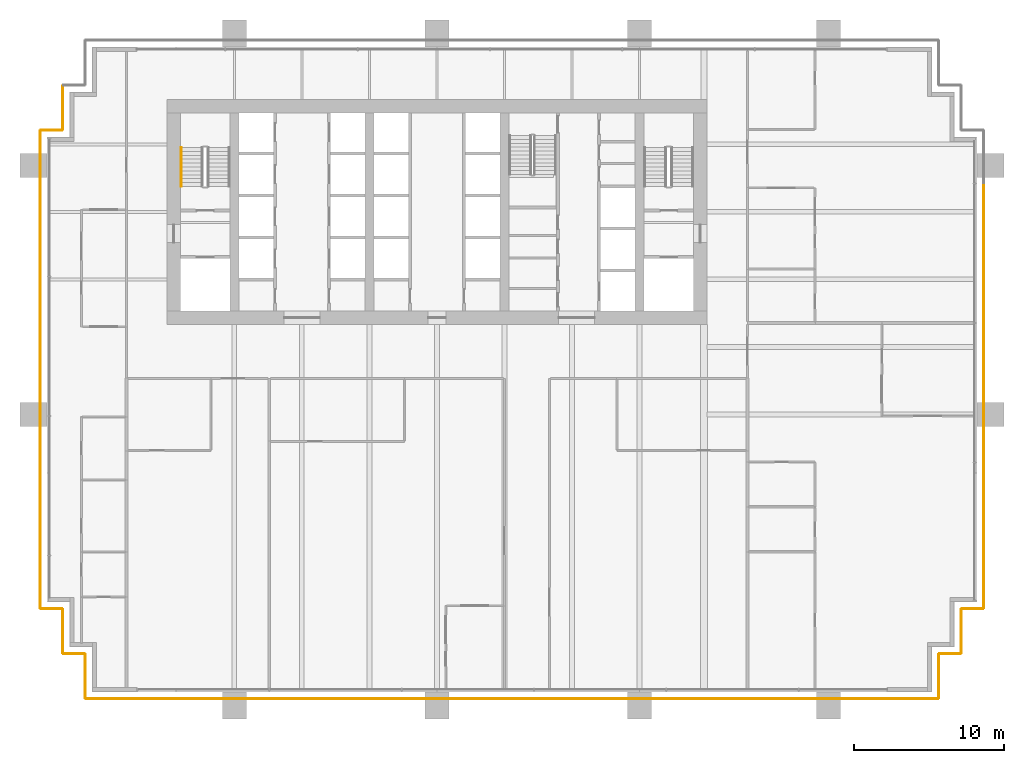
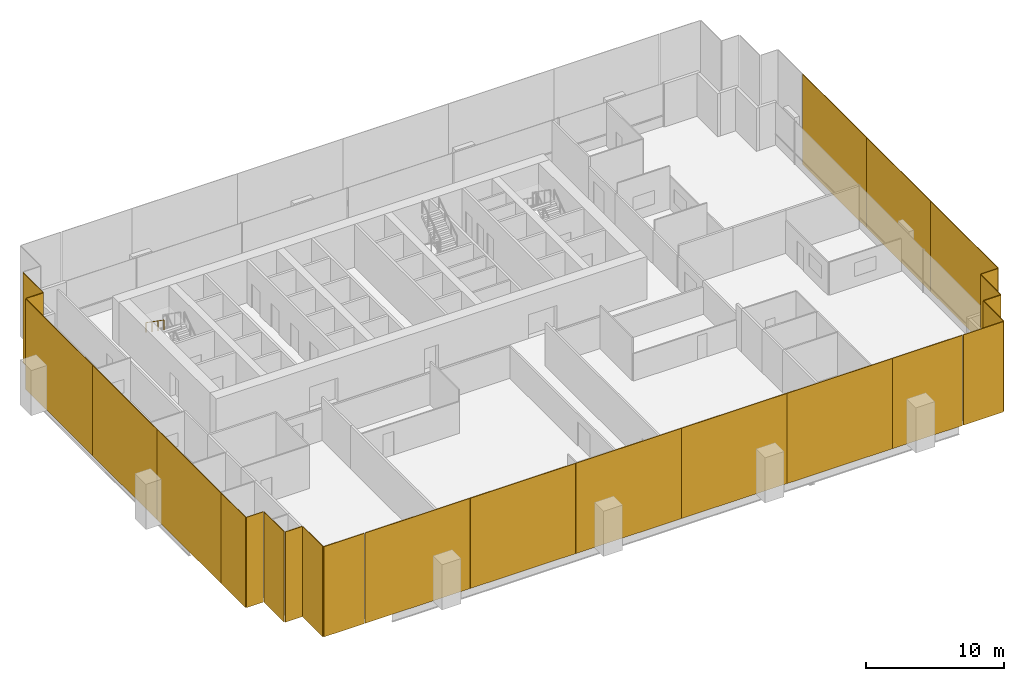
# One storey, part 17 of 19: 25 coverings, 1 railing.
"""IFC4 building model written with IfcOpenShell, lengths in metres."""

from ifc_helpers import new_model, si_unit, direction, frame, origin, origin_2d, place, context, subcontext, project, spatial, rectangle, extrude, material, layer, layer_set, type_object, element, save


model = new_model("IFC4")

# Units and contexts
model_context = context("Model", 3, precision=1e-05, world=origin(), true_north=direction((0.0, 1.0)))
body_context = subcontext(model_context, "Body", "Model", "MODEL_VIEW")
ifc_project = project(units=[si_unit("LENGTHUNIT", "METRE"), si_unit("AREAUNIT", "SQUARE_METRE"), si_unit("VOLUMEUNIT", "CUBIC_METRE"), si_unit("PLANEANGLEUNIT", "RADIAN"), si_unit("MASSUNIT", "GRAM", prefix="KILO")], contexts=[model_context])

# Site, building, storey
site_placement = place(None, origin())
site = spatial("IfcSite", under=ifc_project, at=site_placement, CompositionType="ELEMENT")
building_placement = place(site_placement, origin())
building = spatial("IfcBuilding", under=site, at=building_placement, Name="Rattan Terrace Tower", CompositionType="ELEMENT")
storey_placement = place(building_placement, frame((0.0, 0.0, 91.699951171875)))
storey = spatial("IfcBuildingStorey", under=building, at=storey_placement, Name="L20", CompositionType="ELEMENT", Elevation=91.699951171875)

# Railing
ifc_material_1 = material(Name="Powder-coated steel handrail", Category="steel")
railing_type = type_object("IfcRailingType", Name="Core stair handrail", PredefinedType="HANDRAIL", material=ifc_material_1)
railing_placement = place(storey_placement, frame((-17.050048828125, 4.300048828125, 2.181884765625)))
element("IfcRailing", 1, at=railing_placement, inside=storey, type_object=railing_type, Name="L20 S1 stair handrail 2", PredefinedType="HANDRAIL", context=body_context, shape_type="SweptSolid", body=[
    extrude(rectangle(XDim=0.048095703125, YDim=0.048095703125, at=origin_2d()), frame((0.0, 0.0, 0.8759765625), z_axis=(0.0, -0.819521025635, 0.573049115296), x_axis=(1.0, 0.0, 0.0)), (0.0, 0.0, 1.0), 3.172607421875),
    extrude(rectangle(XDim=0.0419921875, YDim=0.0419921875, at=origin_2d()), origin(), (0.0, 0.0, 1.0), 0.851806640625),
    extrude(rectangle(XDim=0.0419921875, YDim=0.0419921875, at=origin_2d()), frame((0.0, -0.86669921875, 0.60595703125)), (0.0, 0.0, 1.0), 0.851806640625),
    extrude(rectangle(XDim=0.0419921875, YDim=0.0419921875, at=origin_2d()), frame((0.0, -1.7333984375, 1.212158203125)), (0.0, 0.0, 1.0), 0.851806640625),
    extrude(rectangle(XDim=0.0419921875, YDim=0.0419921875, at=origin_2d()), frame((0.0, -2.60009765625, 1.818115234375)), (0.0, 0.0, 1.0), 0.851806640625),
])

# Coverings
ifc_material_2 = material(Name="Perforated terracotta", Category="masonry")
ifc_layer = layer(ifc_material_2, 0.06005859375)
ifc_layer_set = layer_set([ifc_layer], Name="Facade Terracotta Screen Panel")
covering_type = type_object("IfcCoveringType", Name="Facade Terracotta Screen Panel", PredefinedType="CLADDING", material=ifc_layer_set)
covering_1_placement = place(storey_placement, frame((31.72509765625, -32.449951171875, -0.18994140625), z_axis=(0.0, 0.0, 1.0), x_axis=(1.0, 0.0, 0.0)))
element("IfcCovering", 2, at=covering_1_placement, inside=storey, type_object=covering_type, Name="OUTER SKIN panel L20-1", PredefinedType="CLADDING", context=body_context, shape_type="SweptSolid", body=[
    extrude(rectangle(XDim=3.3701171875, YDim=0.06005859375, at=origin_2d()), origin(), (0.0, 0.0, 1.0), 7.97998046875),
])
covering_2_placement = place(storey_placement, frame((33.449951171875, -30.949951171875, -0.18994140625), z_axis=(0.0, 0.0, 1.0), x_axis=(0.0, 1.0, 0.0)))
element("IfcCovering", 3, at=covering_2_placement, inside=storey, type_object=covering_type, Name="OUTER SKIN panel L20-2", PredefinedType="CLADDING", context=body_context, shape_type="SweptSolid", body=[
    extrude(rectangle(XDim=2.919921875, YDim=0.06005859375, at=origin_2d()), origin(), (0.0, 0.0, 1.0), 7.97998046875),
])
covering_3_placement = place(storey_placement, frame((34.199951171875, -29.449951171875, -0.18994140625), z_axis=(0.0, 0.0, 1.0), x_axis=(1.0, 0.0, 0.0)))
element("IfcCovering", 4, at=covering_3_placement, inside=storey, type_object=covering_type, Name="OUTER SKIN panel L20-3", PredefinedType="CLADDING", context=body_context, shape_type="SweptSolid", body=[
    extrude(rectangle(XDim=1.419921875, YDim=0.06005859375, at=origin_2d()), origin(), (0.0, 0.0, 1.0), 7.97998046875),
])
covering_4_placement = place(storey_placement, frame((34.949951171875, -27.949951171875, -0.18994140625), z_axis=(0.0, 0.0, 1.0), x_axis=(0.0, 1.0, 0.0)))
element("IfcCovering", 5, at=covering_4_placement, inside=storey, type_object=covering_type, Name="OUTER SKIN panel L20-4", PredefinedType="CLADDING", context=body_context, shape_type="SweptSolid", body=[
    extrude(rectangle(XDim=2.919921875, YDim=0.06005859375, at=origin_2d()), origin(), (0.0, 0.0, 1.0), 7.97998046875),
])
covering_5_placement = place(storey_placement, frame((35.699951171875, -26.449951171875, -0.18994140625), z_axis=(0.0, 0.0, 1.0), x_axis=(1.0, 0.0, 0.0)))
element("IfcCovering", 6, at=covering_5_placement, inside=storey, type_object=covering_type, Name="OUTER SKIN panel L20-5", PredefinedType="CLADDING", context=body_context, shape_type="SweptSolid", body=[
    extrude(rectangle(XDim=1.419921875, YDim=0.06005859375, at=origin_2d()), origin(), (0.0, 0.0, 1.0), 7.97998046875),
])
covering_6_placement = place(storey_placement, frame((36.449951171875, -21.56005859375, -0.18994140625), z_axis=(0.0, 0.0, 1.0), x_axis=(0.0, 1.0, 0.0)))
element("IfcCovering", 7, at=covering_6_placement, inside=storey, type_object=covering_type, Name="OUTER SKIN panel L20-6", PredefinedType="CLADDING", context=body_context, shape_type="SweptSolid", body=[
    extrude(rectangle(XDim=9.699951171875, YDim=0.06005859375, at=origin_2d()), origin(), (0.0, 0.0, 1.0), 7.97998046875),
])
for number, where, z_axis, x_axis, name in (
    (8, (36.449951171875, -12.050048828125, -0.18994140625), (0.0, 0.0, 1.0), (0.0, 1.0, 0.0), "OUTER SKIN panel L20-7"),
    (9, (36.449951171875, -2.75, -0.18994140625), (0.0, 0.0, 1.0), (0.0, 1.0, 0.0), "OUTER SKIN panel L20-8"),
):
    element("IfcCovering", number, at=place(storey_placement, frame(where, z_axis=z_axis, x_axis=x_axis)), inside=storey, type_object=covering_type, Name=name, PredefinedType="CLADDING", context=body_context, shape_type="SweptSolid", body=[
        extrude(rectangle(XDim=9.280029296875, YDim=0.06005859375, at=origin_2d()), origin(), (0.0, 0.0, 1.0), 7.97998046875),
    ])
covering_7_placement = place(storey_placement, frame((-24.949951171875, 6.949951171875, -0.18994140625), z_axis=(0.0, 0.0, 1.0), x_axis=(0.0, -1.0, 0.0)))
element("IfcCovering", 10, at=covering_7_placement, inside=storey, type_object=covering_type, Name="OUTER SKIN panel L20-24", PredefinedType="CLADDING", context=body_context, shape_type="SweptSolid", body=[
    extrude(rectangle(XDim=2.919921875, YDim=0.06005859375, at=origin_2d()), origin(), (0.0, 0.0, 1.0), 7.97998046875),
])
covering_8_placement = place(storey_placement, frame((-25.699951171875, 5.449951171875, -0.18994140625), z_axis=(0.0, 0.0, 1.0), x_axis=(-1.0, 0.0, 0.0)))
element("IfcCovering", 11, at=covering_8_placement, inside=storey, type_object=covering_type, Name="OUTER SKIN panel L20-25", PredefinedType="CLADDING", context=body_context, shape_type="SweptSolid", body=[
    extrude(rectangle(XDim=1.419921875, YDim=0.06005859375, at=origin_2d()), origin(), (0.0, 0.0, 1.0), 7.97998046875),
])
covering_9_placement = place(storey_placement, frame((-26.449951171875, 0.56005859375, -0.18994140625), z_axis=(0.0, 0.0, 1.0), x_axis=(0.0, -1.0, 0.0)))
element("IfcCovering", 12, at=covering_9_placement, inside=storey, type_object=covering_type, Name="OUTER SKIN panel L20-26", PredefinedType="CLADDING", context=body_context, shape_type="SweptSolid", body=[
    extrude(rectangle(XDim=9.699951171875, YDim=0.06005859375, at=origin_2d()), origin(), (0.0, 0.0, 1.0), 7.97998046875),
])
for number, where, z_axis, x_axis, name in (
    (13, (-26.449951171875, -8.949951171875, -0.18994140625), (0.0, 0.0, 1.0), (0.0, -1.0, 0.0), "OUTER SKIN panel L20-27"),
    (14, (-26.449951171875, -18.25, -0.18994140625), (0.0, 0.0, 1.0), (0.0, -1.0, 0.0), "OUTER SKIN panel L20-28"),
):
    element("IfcCovering", number, at=place(storey_placement, frame(where, z_axis=z_axis, x_axis=x_axis)), inside=storey, type_object=covering_type, Name=name, PredefinedType="CLADDING", context=body_context, shape_type="SweptSolid", body=[
        extrude(rectangle(XDim=9.280029296875, YDim=0.06005859375, at=origin_2d()), origin(), (0.0, 0.0, 1.0), 7.97998046875),
    ])
covering_10_placement = place(storey_placement, frame((-26.449951171875, -24.659912109375, -0.18994140625), z_axis=(0.0, 0.0, 1.0), x_axis=(0.0, -1.0, 0.0)))
element("IfcCovering", 15, at=covering_10_placement, inside=storey, type_object=covering_type, Name="OUTER SKIN panel L20-29", PredefinedType="CLADDING", context=body_context, shape_type="SweptSolid", body=[
    extrude(rectangle(XDim=3.5, YDim=0.06005859375, at=origin_2d()), origin(), (0.0, 0.0, 1.0), 7.97998046875),
])
covering_11_placement = place(storey_placement, frame((-25.699951171875, -26.449951171875, -0.18994140625), z_axis=(0.0, 0.0, 1.0), x_axis=(1.0, 0.0, 0.0)))
element("IfcCovering", 16, at=covering_11_placement, inside=storey, type_object=covering_type, Name="OUTER SKIN panel L20-30", PredefinedType="CLADDING", context=body_context, shape_type="SweptSolid", body=[
    extrude(rectangle(XDim=1.419921875, YDim=0.06005859375, at=origin_2d()), origin(), (0.0, 0.0, 1.0), 7.97998046875),
])
covering_12_placement = place(storey_placement, frame((-24.949951171875, -27.949951171875, -0.18994140625), z_axis=(0.0, 0.0, 1.0), x_axis=(0.0, -1.0, 0.0)))
element("IfcCovering", 17, at=covering_12_placement, inside=storey, type_object=covering_type, Name="OUTER SKIN panel L20-31", PredefinedType="CLADDING", context=body_context, shape_type="SweptSolid", body=[
    extrude(rectangle(XDim=2.919921875, YDim=0.06005859375, at=origin_2d()), origin(), (0.0, 0.0, 1.0), 7.97998046875),
])
covering_13_placement = place(storey_placement, frame((-24.199951171875, -29.449951171875, -0.18994140625), z_axis=(0.0, 0.0, 1.0), x_axis=(1.0, 0.0, 0.0)))
element("IfcCovering", 18, at=covering_13_placement, inside=storey, type_object=covering_type, Name="OUTER SKIN panel L20-32", PredefinedType="CLADDING", context=body_context, shape_type="SweptSolid", body=[
    extrude(rectangle(XDim=1.419921875, YDim=0.06005859375, at=origin_2d()), origin(), (0.0, 0.0, 1.0), 7.97998046875),
])
covering_14_placement = place(storey_placement, frame((-23.449951171875, -30.949951171875, -0.18994140625), z_axis=(0.0, 0.0, 1.0), x_axis=(0.0, -1.0, 0.0)))
element("IfcCovering", 19, at=covering_14_placement, inside=storey, type_object=covering_type, Name="OUTER SKIN panel L20-33", PredefinedType="CLADDING", context=body_context, shape_type="SweptSolid", body=[
    extrude(rectangle(XDim=2.919921875, YDim=0.06005859375, at=origin_2d()), origin(), (0.0, 0.0, 1.0), 7.97998046875),
])
covering_15_placement = place(storey_placement, frame((-21.72509765625, -32.449951171875, -0.18994140625), z_axis=(0.0, 0.0, 1.0), x_axis=(1.0, 0.0, 0.0)))
element("IfcCovering", 20, at=covering_15_placement, inside=storey, type_object=covering_type, Name="OUTER SKIN panel L20-34", PredefinedType="CLADDING", context=body_context, shape_type="SweptSolid", body=[
    extrude(rectangle(XDim=3.3701171875, YDim=0.06005859375, at=origin_2d()), origin(), (0.0, 0.0, 1.0), 7.97998046875),
])
covering_16_placement = place(storey_placement, frame((-15.573486328125, -32.449951171875, -0.18994140625), z_axis=(0.0, 0.0, 1.0), x_axis=(1.0, 0.0, 0.0)))
element("IfcCovering", 21, at=covering_16_placement, inside=storey, type_object=covering_type, Name="OUTER SKIN panel L20-35", PredefinedType="CLADDING", context=body_context, shape_type="SweptSolid", body=[
    extrude(rectangle(XDim=8.77294921875, YDim=0.06005859375, at=origin_2d()), origin(), (0.0, 0.0, 1.0), 7.97998046875),
])
for number, where, z_axis, x_axis, name in (
    (22, (-6.765380859375, -32.449951171875, -0.18994140625), (0.0, 0.0, 1.0), (1.0, 0.0, 0.0), "OUTER SKIN panel L20-36"),
    (23, (2.0576171875, -32.449951171875, -0.18994140625), (0.0, 0.0, 1.0), (1.0, 0.0, 0.0), "OUTER SKIN panel L20-37"),
    (24, (10.880615234375, -32.449951171875, -0.18994140625), (0.0, 0.0, 1.0), (1.0, 0.0, 0.0), "OUTER SKIN panel L20-38"),
    (25, (19.70361328125, -32.449951171875, -0.18994140625), (0.0, 0.0, 1.0), (1.0, 0.0, 0.0), "OUTER SKIN panel L20-39"),
):
    element("IfcCovering", number, at=place(storey_placement, frame(where, z_axis=z_axis, x_axis=x_axis)), inside=storey, type_object=covering_type, Name=name, PredefinedType="CLADDING", context=body_context, shape_type="SweptSolid", body=[
        extrude(rectangle(XDim=8.802978515625, YDim=0.06005859375, at=origin_2d()), origin(), (0.0, 0.0, 1.0), 7.97998046875),
    ])
covering_17_placement = place(storey_placement, frame((27.04248046875, -32.449951171875, -0.18994140625), z_axis=(0.0, 0.0, 1.0), x_axis=(1.0, 0.0, 0.0)))
element("IfcCovering", 26, at=covering_17_placement, inside=storey, type_object=covering_type, Name="OUTER SKIN panel L20-40", PredefinedType="CLADDING", context=body_context, shape_type="SweptSolid", body=[
    extrude(rectangle(XDim=5.8349609375, YDim=0.06005859375, at=origin_2d()), origin(), (0.0, 0.0, 1.0), 7.97998046875),
])

save(model, "model.ifc")
